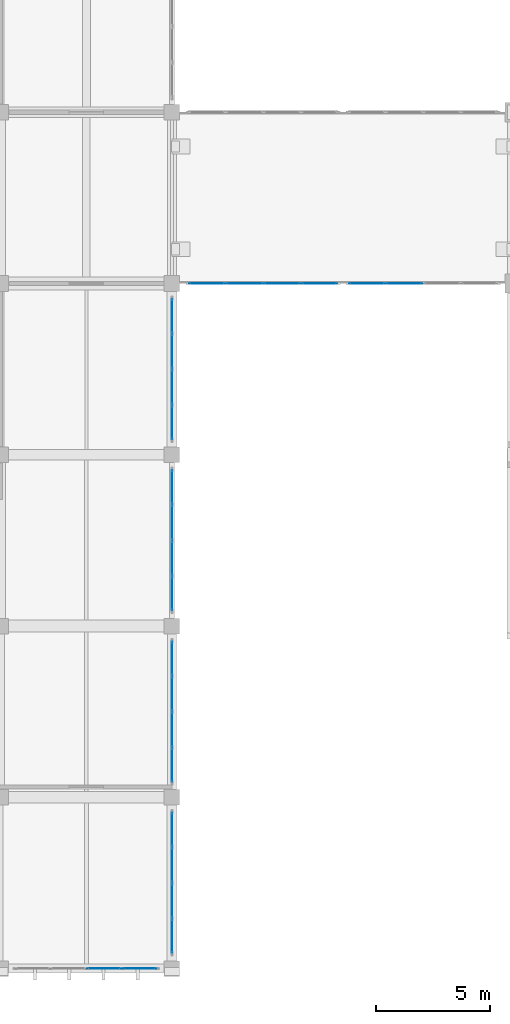
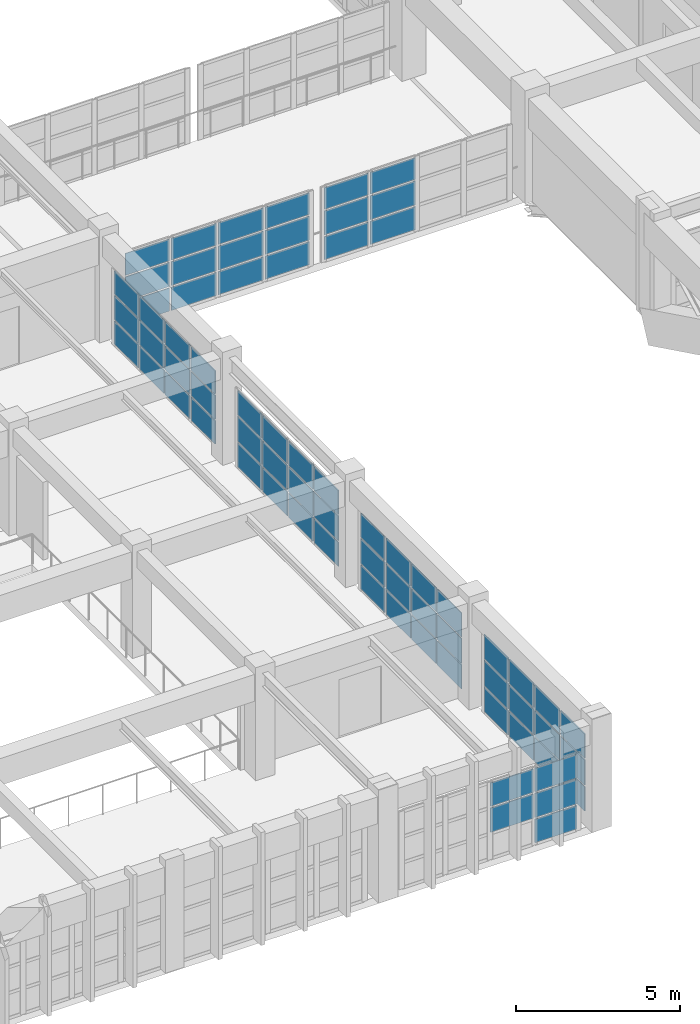
# One storey, part 82 of 132: 71 plates, 7 elements without a shape of their own.
"""IFC4 building model written with IfcOpenShell, lengths in metres."""

from ifc_helpers import new_model, si_unit, direction, frame, origin, origin_2d, place, context, subcontext, project, spatial, rectangle, extrude, material, layer, layer_set, type_object, element, aggregate, save


model = new_model("IFC4")

# Units and contexts
model_context = context("Model", 3, precision=1e-05, world=origin(), true_north=direction((0.0, 1.0)))
body_context = subcontext(model_context, "Body", "Model", "MODEL_VIEW")
ifc_project = project(units=[si_unit("LENGTHUNIT", "METRE"), si_unit("AREAUNIT", "SQUARE_METRE"), si_unit("VOLUMEUNIT", "CUBIC_METRE"), si_unit("PLANEANGLEUNIT", "RADIAN"), si_unit("MASSUNIT", "GRAM", prefix="KILO")], contexts=[model_context])

# Site, building, storey
site_placement = place(None, origin())
site = spatial("IfcSite", under=ifc_project, at=site_placement, CompositionType="ELEMENT")
building_placement = place(site_placement, origin())
building = spatial("IfcBuilding", under=site, at=building_placement, Name="Qasida Concert Hall", CompositionType="ELEMENT")
storey_placement = place(building_placement, frame((0.0, 0.0, 4.800048828125)))
storey = spatial("IfcBuildingStorey", under=building, at=storey_placement, Name="L01", CompositionType="ELEMENT", Elevation=4.800048828125)

# Curtain wall, plates
ifc_material_1 = material(Name="Architectural bronze-anodized aluminium and low-E glass", Category="aluminium")
curtain_wall_type_1 = type_object("IfcCurtainWallType", Name="CW-07", PredefinedType="NOTDEFINED", material=ifc_material_1)
curtain_wall_1_placement = place(storey_placement, origin())
curtain_wall_1 = element("IfcCurtainWall", 1, at=curtain_wall_1_placement, inside=storey, type_object=curtain_wall_type_1, Name="L01 curtain wall CW-07 0089", PredefinedType="NOTDEFINED")
ifc_material_2 = material(Name="Solar-control low-E double glazing", Category="glass")
ifc_layer_1 = layer(ifc_material_2, 0.031982421875, Name="Solar-control low-E double glazing")
ifc_layer_set_1 = layer_set([ifc_layer_1], Name="Solar-control low-E double glazing")
plate_type_1 = type_object("IfcPlateType", Name="PLT-CWP-2", PredefinedType="CURTAIN_PANEL", material=ifc_layer_set_1)
plate_1_placement = place(storey_placement, frame((34.532470703125, 0.0, 0.993408203125), z_axis=(0.0, 0.0, 1.0), x_axis=(1.0, 0.0, 0.0)))
plate_1 = element("IfcPlate", 2, at=plate_1_placement, type_object=plate_type_1, Name="CW-07 panel 3.2", PredefinedType="CURTAIN_PANEL", context=body_context, shape_type="SweptSolid", body=[
    extrude(rectangle(XDim=1.5, YDim=0.031982421875, at=origin_2d()), origin(), (0.0, 0.0, 1.0), 0.9033203125),
])
plate_2_placement = place(storey_placement, frame((34.532470703125, 0.0, 1.95654296875), z_axis=(0.0, 0.0, 1.0), x_axis=(1.0, 0.0, 0.0)))
plate_2 = element("IfcPlate", 3, at=plate_2_placement, type_object=plate_type_1, Name="CW-07 panel 3.3", PredefinedType="CURTAIN_PANEL", context=body_context, shape_type="SweptSolid", body=[
    extrude(rectangle(XDim=1.5, YDim=0.031982421875, at=origin_2d()), origin(), (0.0, 0.0, 1.0), 0.873291015625),
])
plate_3_placement = place(storey_placement, frame((36.081298828125, 0.0, 0.06005859375), z_axis=(0.0, 0.0, 1.0), x_axis=(1.0, 0.0, 0.0)))
plate_3 = element("IfcPlate", 4, at=plate_3_placement, type_object=plate_type_1, Name="CW-07 panel 4.1", PredefinedType="CURTAIN_PANEL", context=body_context, shape_type="SweptSolid", body=[
    extrude(rectangle(XDim=1.467529296875, YDim=0.031982421875, at=origin_2d()), origin(), (0.0, 0.0, 1.0), 0.873291015625),
])
plate_4_placement = place(storey_placement, frame((36.081298828125, 0.0, 0.993408203125), z_axis=(0.0, 0.0, 1.0), x_axis=(1.0, 0.0, 0.0)))
plate_4 = element("IfcPlate", 5, at=plate_4_placement, type_object=plate_type_1, Name="CW-07 panel 4.2", PredefinedType="CURTAIN_PANEL", context=body_context, shape_type="SweptSolid", body=[
    extrude(rectangle(XDim=1.467529296875, YDim=0.031982421875, at=origin_2d()), origin(), (0.0, 0.0, 1.0), 0.9033203125),
])
plate_5_placement = place(storey_placement, frame((36.081298828125, 0.0, 1.95654296875), z_axis=(0.0, 0.0, 1.0), x_axis=(1.0, 0.0, 0.0)))
plate_5 = element("IfcPlate", 6, at=plate_5_placement, type_object=plate_type_1, Name="CW-07 panel 4.3", PredefinedType="CURTAIN_PANEL", context=body_context, shape_type="SweptSolid", body=[
    extrude(rectangle(XDim=1.467529296875, YDim=0.031982421875, at=origin_2d()), origin(), (0.0, 0.0, 1.0), 0.873291015625),
])
aggregate(curtain_wall_1, [plate_1, plate_2, plate_3, plate_4, plate_5])

curtain_wall_2_placement = place(storey_placement, origin())
curtain_wall_2 = element("IfcCurtainWall", 7, at=curtain_wall_2_placement, inside=storey, type_object=curtain_wall_type_1, Name="L01 curtain wall CW-07 0091", PredefinedType="NOTDEFINED")
plate_6_placement = place(storey_placement, frame((37.5, 1.418701171875, 0.059814453125), z_axis=(0.0, 0.0, 1.0), x_axis=(0.0, 1.0, 0.0)))
plate_6 = element("IfcPlate", 8, at=plate_6_placement, type_object=plate_type_1, Name="CW-07 panel 1.1", PredefinedType="CURTAIN_PANEL", context=body_context, shape_type="SweptSolid", body=[
    extrude(rectangle(XDim=1.467529296875, YDim=0.031982421875, at=origin_2d()), origin(), (0.0, 0.0, 1.0), 0.90673828125),
])
plate_7_placement = place(storey_placement, frame((37.5, 1.418701171875, 1.026611328125), z_axis=(0.0, 0.0, 1.0), x_axis=(0.0, 1.0, 0.0)))
plate_7 = element("IfcPlate", 9, at=plate_7_placement, type_object=plate_type_1, Name="CW-07 panel 1.2", PredefinedType="CURTAIN_PANEL", context=body_context, shape_type="SweptSolid", body=[
    extrude(rectangle(XDim=1.467529296875, YDim=0.031982421875, at=origin_2d()), origin(), (0.0, 0.0, 1.0), 0.9365234375),
])
plate_8_placement = place(storey_placement, frame((37.5, 1.418701171875, 2.023193359375), z_axis=(0.0, 0.0, 1.0), x_axis=(0.0, 1.0, 0.0)))
plate_8 = element("IfcPlate", 10, at=plate_8_placement, type_object=plate_type_1, Name="CW-07 panel 1.3", PredefinedType="CURTAIN_PANEL", context=body_context, shape_type="SweptSolid", body=[
    extrude(rectangle(XDim=1.467529296875, YDim=0.031982421875, at=origin_2d()), origin(), (0.0, 0.0, 1.0), 0.90673828125),
])
plate_9_placement = place(storey_placement, frame((37.5, 2.967529296875, 0.059814453125), z_axis=(0.0, 0.0, 1.0), x_axis=(0.0, 1.0, 0.0)))
plate_9 = element("IfcPlate", 11, at=plate_9_placement, type_object=plate_type_1, Name="CW-07 panel 2.1", PredefinedType="CURTAIN_PANEL", context=body_context, shape_type="SweptSolid", body=[
    extrude(rectangle(XDim=1.5, YDim=0.031982421875, at=origin_2d()), origin(), (0.0, 0.0, 1.0), 0.90673828125),
])
plate_10_placement = place(storey_placement, frame((37.5, 2.967529296875, 1.026611328125), z_axis=(0.0, 0.0, 1.0), x_axis=(0.0, 1.0, 0.0)))
plate_10 = element("IfcPlate", 12, at=plate_10_placement, type_object=plate_type_1, Name="CW-07 panel 2.2", PredefinedType="CURTAIN_PANEL", context=body_context, shape_type="SweptSolid", body=[
    extrude(rectangle(XDim=1.5, YDim=0.031982421875, at=origin_2d()), origin(), (0.0, 0.0, 1.0), 0.9365234375),
])
plate_11_placement = place(storey_placement, frame((37.5, 2.967529296875, 2.023193359375), z_axis=(0.0, 0.0, 1.0), x_axis=(0.0, 1.0, 0.0)))
plate_11 = element("IfcPlate", 13, at=plate_11_placement, type_object=plate_type_1, Name="CW-07 panel 2.3", PredefinedType="CURTAIN_PANEL", context=body_context, shape_type="SweptSolid", body=[
    extrude(rectangle(XDim=1.5, YDim=0.031982421875, at=origin_2d()), origin(), (0.0, 0.0, 1.0), 0.90673828125),
])
plate_12_placement = place(storey_placement, frame((37.5, 4.532470703125, 0.059814453125), z_axis=(0.0, 0.0, 1.0), x_axis=(0.0, 1.0, 0.0)))
plate_12 = element("IfcPlate", 14, at=plate_12_placement, type_object=plate_type_1, Name="CW-07 panel 3.1", PredefinedType="CURTAIN_PANEL", context=body_context, shape_type="SweptSolid", body=[
    extrude(rectangle(XDim=1.5, YDim=0.031982421875, at=origin_2d()), origin(), (0.0, 0.0, 1.0), 0.90673828125),
])
plate_13_placement = place(storey_placement, frame((37.5, 4.532470703125, 1.026611328125), z_axis=(0.0, 0.0, 1.0), x_axis=(0.0, 1.0, 0.0)))
plate_13 = element("IfcPlate", 15, at=plate_13_placement, type_object=plate_type_1, Name="CW-07 panel 3.2", PredefinedType="CURTAIN_PANEL", context=body_context, shape_type="SweptSolid", body=[
    extrude(rectangle(XDim=1.5, YDim=0.031982421875, at=origin_2d()), origin(), (0.0, 0.0, 1.0), 0.9365234375),
])
plate_14_placement = place(storey_placement, frame((37.5, 4.532470703125, 2.023193359375), z_axis=(0.0, 0.0, 1.0), x_axis=(0.0, 1.0, 0.0)))
plate_14 = element("IfcPlate", 16, at=plate_14_placement, type_object=plate_type_1, Name="CW-07 panel 3.3", PredefinedType="CURTAIN_PANEL", context=body_context, shape_type="SweptSolid", body=[
    extrude(rectangle(XDim=1.5, YDim=0.031982421875, at=origin_2d()), origin(), (0.0, 0.0, 1.0), 0.90673828125),
])
plate_15_placement = place(storey_placement, frame((37.5, 6.081298828125, 0.059814453125), z_axis=(0.0, 0.0, 1.0), x_axis=(0.0, 1.0, 0.0)))
plate_15 = element("IfcPlate", 17, at=plate_15_placement, type_object=plate_type_1, Name="CW-07 panel 4.1", PredefinedType="CURTAIN_PANEL", context=body_context, shape_type="SweptSolid", body=[
    extrude(rectangle(XDim=1.467529296875, YDim=0.031982421875, at=origin_2d()), origin(), (0.0, 0.0, 1.0), 0.90673828125),
])
plate_16_placement = place(storey_placement, frame((37.5, 6.081298828125, 1.026611328125), z_axis=(0.0, 0.0, 1.0), x_axis=(0.0, 1.0, 0.0)))
plate_16 = element("IfcPlate", 18, at=plate_16_placement, type_object=plate_type_1, Name="CW-07 panel 4.2", PredefinedType="CURTAIN_PANEL", context=body_context, shape_type="SweptSolid", body=[
    extrude(rectangle(XDim=1.467529296875, YDim=0.031982421875, at=origin_2d()), origin(), (0.0, 0.0, 1.0), 0.9365234375),
])
plate_17_placement = place(storey_placement, frame((37.5, 6.081298828125, 2.023193359375), z_axis=(0.0, 0.0, 1.0), x_axis=(0.0, 1.0, 0.0)))
plate_17 = element("IfcPlate", 19, at=plate_17_placement, type_object=plate_type_1, Name="CW-07 panel 4.3", PredefinedType="CURTAIN_PANEL", context=body_context, shape_type="SweptSolid", body=[
    extrude(rectangle(XDim=1.467529296875, YDim=0.031982421875, at=origin_2d()), origin(), (0.0, 0.0, 1.0), 0.90673828125),
])
aggregate(curtain_wall_2, [plate_6, plate_7, plate_8, plate_9, plate_10, plate_11, plate_12, plate_13, plate_14, plate_15, plate_16, plate_17])

curtain_wall_3_placement = place(storey_placement, origin())
curtain_wall_3 = element("IfcCurtainWall", 20, at=curtain_wall_3_placement, inside=storey, type_object=curtain_wall_type_1, Name="L01 curtain wall CW-07 0093", PredefinedType="NOTDEFINED")
plate_18_placement = place(storey_placement, frame((37.5, 8.918701171875, 0.06005859375), z_axis=(0.0, 0.0, 1.0), x_axis=(0.0, 1.0, 0.0)))
plate_18 = element("IfcPlate", 21, at=plate_18_placement, type_object=plate_type_1, Name="CW-07 panel 1.1", PredefinedType="CURTAIN_PANEL", context=body_context, shape_type="SweptSolid", body=[
    extrude(rectangle(XDim=1.467529296875, YDim=0.031982421875, at=origin_2d()), origin(), (0.0, 0.0, 1.0), 0.889892578125),
])
plate_19_placement = place(storey_placement, frame((37.5, 8.918701171875, 1.010009765625), z_axis=(0.0, 0.0, 1.0), x_axis=(0.0, 1.0, 0.0)))
plate_19 = element("IfcPlate", 22, at=plate_19_placement, type_object=plate_type_1, Name="CW-07 panel 1.2", PredefinedType="CURTAIN_PANEL", context=body_context, shape_type="SweptSolid", body=[
    extrude(rectangle(XDim=1.467529296875, YDim=0.031982421875, at=origin_2d()), origin(), (0.0, 0.0, 1.0), 0.919921875),
])
plate_20_placement = place(storey_placement, frame((37.5, 8.918701171875, 1.990234375), z_axis=(0.0, 0.0, 1.0), x_axis=(0.0, 1.0, 0.0)))
plate_20 = element("IfcPlate", 23, at=plate_20_placement, type_object=plate_type_1, Name="CW-07 panel 1.3", PredefinedType="CURTAIN_PANEL", context=body_context, shape_type="SweptSolid", body=[
    extrude(rectangle(XDim=1.467529296875, YDim=0.031982421875, at=origin_2d()), origin(), (0.0, 0.0, 1.0), 0.889892578125),
])
plate_21_placement = place(storey_placement, frame((37.5, 10.467529296875, 0.06005859375), z_axis=(0.0, 0.0, 1.0), x_axis=(0.0, 1.0, 0.0)))
plate_21 = element("IfcPlate", 24, at=plate_21_placement, type_object=plate_type_1, Name="CW-07 panel 2.1", PredefinedType="CURTAIN_PANEL", context=body_context, shape_type="SweptSolid", body=[
    extrude(rectangle(XDim=1.5, YDim=0.031982421875, at=origin_2d()), origin(), (0.0, 0.0, 1.0), 0.889892578125),
])
plate_22_placement = place(storey_placement, frame((37.5, 10.467529296875, 1.010009765625), z_axis=(0.0, 0.0, 1.0), x_axis=(0.0, 1.0, 0.0)))
plate_22 = element("IfcPlate", 25, at=plate_22_placement, type_object=plate_type_1, Name="CW-07 panel 2.2", PredefinedType="CURTAIN_PANEL", context=body_context, shape_type="SweptSolid", body=[
    extrude(rectangle(XDim=1.5, YDim=0.031982421875, at=origin_2d()), origin(), (0.0, 0.0, 1.0), 0.919921875),
])
plate_23_placement = place(storey_placement, frame((37.5, 10.467529296875, 1.990234375), z_axis=(0.0, 0.0, 1.0), x_axis=(0.0, 1.0, 0.0)))
plate_23 = element("IfcPlate", 26, at=plate_23_placement, type_object=plate_type_1, Name="CW-07 panel 2.3", PredefinedType="CURTAIN_PANEL", context=body_context, shape_type="SweptSolid", body=[
    extrude(rectangle(XDim=1.5, YDim=0.031982421875, at=origin_2d()), origin(), (0.0, 0.0, 1.0), 0.889892578125),
])
plate_24_placement = place(storey_placement, frame((37.5, 12.032470703125, 0.06005859375), z_axis=(0.0, 0.0, 1.0), x_axis=(0.0, 1.0, 0.0)))
plate_24 = element("IfcPlate", 27, at=plate_24_placement, type_object=plate_type_1, Name="CW-07 panel 3.1", PredefinedType="CURTAIN_PANEL", context=body_context, shape_type="SweptSolid", body=[
    extrude(rectangle(XDim=1.5, YDim=0.031982421875, at=origin_2d()), origin(), (0.0, 0.0, 1.0), 0.889892578125),
])
plate_25_placement = place(storey_placement, frame((37.5, 12.032470703125, 1.010009765625), z_axis=(0.0, 0.0, 1.0), x_axis=(0.0, 1.0, 0.0)))
plate_25 = element("IfcPlate", 28, at=plate_25_placement, type_object=plate_type_1, Name="CW-07 panel 3.2", PredefinedType="CURTAIN_PANEL", context=body_context, shape_type="SweptSolid", body=[
    extrude(rectangle(XDim=1.5, YDim=0.031982421875, at=origin_2d()), origin(), (0.0, 0.0, 1.0), 0.919921875),
])
plate_26_placement = place(storey_placement, frame((37.5, 12.032470703125, 1.990234375), z_axis=(0.0, 0.0, 1.0), x_axis=(0.0, 1.0, 0.0)))
plate_26 = element("IfcPlate", 29, at=plate_26_placement, type_object=plate_type_1, Name="CW-07 panel 3.3", PredefinedType="CURTAIN_PANEL", context=body_context, shape_type="SweptSolid", body=[
    extrude(rectangle(XDim=1.5, YDim=0.031982421875, at=origin_2d()), origin(), (0.0, 0.0, 1.0), 0.889892578125),
])
plate_27_placement = place(storey_placement, frame((37.5, 13.581298828125, 0.06005859375), z_axis=(0.0, 0.0, 1.0), x_axis=(0.0, 1.0, 0.0)))
plate_27 = element("IfcPlate", 30, at=plate_27_placement, type_object=plate_type_1, Name="CW-07 panel 4.1", PredefinedType="CURTAIN_PANEL", context=body_context, shape_type="SweptSolid", body=[
    extrude(rectangle(XDim=1.467529296875, YDim=0.031982421875, at=origin_2d()), origin(), (0.0, 0.0, 1.0), 0.889892578125),
])
plate_28_placement = place(storey_placement, frame((37.5, 13.581298828125, 1.010009765625), z_axis=(0.0, 0.0, 1.0), x_axis=(0.0, 1.0, 0.0)))
plate_28 = element("IfcPlate", 31, at=plate_28_placement, type_object=plate_type_1, Name="CW-07 panel 4.2", PredefinedType="CURTAIN_PANEL", context=body_context, shape_type="SweptSolid", body=[
    extrude(rectangle(XDim=1.467529296875, YDim=0.031982421875, at=origin_2d()), origin(), (0.0, 0.0, 1.0), 0.919921875),
])
plate_29_placement = place(storey_placement, frame((37.5, 13.581298828125, 1.990234375), z_axis=(0.0, 0.0, 1.0), x_axis=(0.0, 1.0, 0.0)))
plate_29 = element("IfcPlate", 32, at=plate_29_placement, type_object=plate_type_1, Name="CW-07 panel 4.3", PredefinedType="CURTAIN_PANEL", context=body_context, shape_type="SweptSolid", body=[
    extrude(rectangle(XDim=1.467529296875, YDim=0.031982421875, at=origin_2d()), origin(), (0.0, 0.0, 1.0), 0.889892578125),
])
aggregate(curtain_wall_3, [plate_18, plate_19, plate_20, plate_21, plate_22, plate_23, plate_24, plate_25, plate_26, plate_27, plate_28, plate_29])

curtain_wall_4_placement = place(storey_placement, origin())
curtain_wall_4 = element("IfcCurtainWall", 33, at=curtain_wall_4_placement, inside=storey, type_object=curtain_wall_type_1, Name="L01 curtain wall CW-07 0094", PredefinedType="NOTDEFINED")
plate_30_placement = place(storey_placement, frame((37.5, 16.418701171875, 0.06005859375), z_axis=(0.0, 0.0, 1.0), x_axis=(0.0, 1.0, 0.0)))
plate_30 = element("IfcPlate", 34, at=plate_30_placement, type_object=plate_type_1, Name="CW-07 panel 1.1", PredefinedType="CURTAIN_PANEL", context=body_context, shape_type="SweptSolid", body=[
    extrude(rectangle(XDim=1.467529296875, YDim=0.031982421875, at=origin_2d()), origin(), (0.0, 0.0, 1.0), 0.889892578125),
])
plate_31_placement = place(storey_placement, frame((37.5, 16.418701171875, 1.010009765625), z_axis=(0.0, 0.0, 1.0), x_axis=(0.0, 1.0, 0.0)))
plate_31 = element("IfcPlate", 35, at=plate_31_placement, type_object=plate_type_1, Name="CW-07 panel 1.2", PredefinedType="CURTAIN_PANEL", context=body_context, shape_type="SweptSolid", body=[
    extrude(rectangle(XDim=1.467529296875, YDim=0.031982421875, at=origin_2d()), origin(), (0.0, 0.0, 1.0), 0.919921875),
])
plate_32_placement = place(storey_placement, frame((37.5, 16.418701171875, 1.990234375), z_axis=(0.0, 0.0, 1.0), x_axis=(0.0, 1.0, 0.0)))
plate_32 = element("IfcPlate", 36, at=plate_32_placement, type_object=plate_type_1, Name="CW-07 panel 1.3", PredefinedType="CURTAIN_PANEL", context=body_context, shape_type="SweptSolid", body=[
    extrude(rectangle(XDim=1.467529296875, YDim=0.031982421875, at=origin_2d()), origin(), (0.0, 0.0, 1.0), 0.889892578125),
])
plate_33_placement = place(storey_placement, frame((37.5, 17.967529296875, 0.06005859375), z_axis=(0.0, 0.0, 1.0), x_axis=(0.0, 1.0, 0.0)))
plate_33 = element("IfcPlate", 37, at=plate_33_placement, type_object=plate_type_1, Name="CW-07 panel 2.1", PredefinedType="CURTAIN_PANEL", context=body_context, shape_type="SweptSolid", body=[
    extrude(rectangle(XDim=1.5, YDim=0.031982421875, at=origin_2d()), origin(), (0.0, 0.0, 1.0), 0.889892578125),
])
plate_34_placement = place(storey_placement, frame((37.5, 17.967529296875, 1.010009765625), z_axis=(0.0, 0.0, 1.0), x_axis=(0.0, 1.0, 0.0)))
plate_34 = element("IfcPlate", 38, at=plate_34_placement, type_object=plate_type_1, Name="CW-07 panel 2.2", PredefinedType="CURTAIN_PANEL", context=body_context, shape_type="SweptSolid", body=[
    extrude(rectangle(XDim=1.5, YDim=0.031982421875, at=origin_2d()), origin(), (0.0, 0.0, 1.0), 0.919921875),
])
plate_35_placement = place(storey_placement, frame((37.5, 17.967529296875, 1.990234375), z_axis=(0.0, 0.0, 1.0), x_axis=(0.0, 1.0, 0.0)))
plate_35 = element("IfcPlate", 39, at=plate_35_placement, type_object=plate_type_1, Name="CW-07 panel 2.3", PredefinedType="CURTAIN_PANEL", context=body_context, shape_type="SweptSolid", body=[
    extrude(rectangle(XDim=1.5, YDim=0.031982421875, at=origin_2d()), origin(), (0.0, 0.0, 1.0), 0.889892578125),
])
plate_36_placement = place(storey_placement, frame((37.5, 19.532470703125, 0.06005859375), z_axis=(0.0, 0.0, 1.0), x_axis=(0.0, 1.0, 0.0)))
plate_36 = element("IfcPlate", 40, at=plate_36_placement, type_object=plate_type_1, Name="CW-07 panel 3.1", PredefinedType="CURTAIN_PANEL", context=body_context, shape_type="SweptSolid", body=[
    extrude(rectangle(XDim=1.5, YDim=0.031982421875, at=origin_2d()), origin(), (0.0, 0.0, 1.0), 0.889892578125),
])
plate_37_placement = place(storey_placement, frame((37.5, 19.532470703125, 1.010009765625), z_axis=(0.0, 0.0, 1.0), x_axis=(0.0, 1.0, 0.0)))
plate_37 = element("IfcPlate", 41, at=plate_37_placement, type_object=plate_type_1, Name="CW-07 panel 3.2", PredefinedType="CURTAIN_PANEL", context=body_context, shape_type="SweptSolid", body=[
    extrude(rectangle(XDim=1.5, YDim=0.031982421875, at=origin_2d()), origin(), (0.0, 0.0, 1.0), 0.919921875),
])
plate_38_placement = place(storey_placement, frame((37.5, 19.532470703125, 1.990234375), z_axis=(0.0, 0.0, 1.0), x_axis=(0.0, 1.0, 0.0)))
plate_38 = element("IfcPlate", 42, at=plate_38_placement, type_object=plate_type_1, Name="CW-07 panel 3.3", PredefinedType="CURTAIN_PANEL", context=body_context, shape_type="SweptSolid", body=[
    extrude(rectangle(XDim=1.5, YDim=0.031982421875, at=origin_2d()), origin(), (0.0, 0.0, 1.0), 0.889892578125),
])
plate_39_placement = place(storey_placement, frame((37.5, 21.081298828125, 0.06005859375), z_axis=(0.0, 0.0, 1.0), x_axis=(0.0, 1.0, 0.0)))
plate_39 = element("IfcPlate", 43, at=plate_39_placement, type_object=plate_type_1, Name="CW-07 panel 4.1", PredefinedType="CURTAIN_PANEL", context=body_context, shape_type="SweptSolid", body=[
    extrude(rectangle(XDim=1.467529296875, YDim=0.031982421875, at=origin_2d()), origin(), (0.0, 0.0, 1.0), 0.889892578125),
])
plate_40_placement = place(storey_placement, frame((37.5, 21.081298828125, 1.010009765625), z_axis=(0.0, 0.0, 1.0), x_axis=(0.0, 1.0, 0.0)))
plate_40 = element("IfcPlate", 44, at=plate_40_placement, type_object=plate_type_1, Name="CW-07 panel 4.2", PredefinedType="CURTAIN_PANEL", context=body_context, shape_type="SweptSolid", body=[
    extrude(rectangle(XDim=1.467529296875, YDim=0.031982421875, at=origin_2d()), origin(), (0.0, 0.0, 1.0), 0.919921875),
])
plate_41_placement = place(storey_placement, frame((37.5, 21.081298828125, 1.990234375), z_axis=(0.0, 0.0, 1.0), x_axis=(0.0, 1.0, 0.0)))
plate_41 = element("IfcPlate", 45, at=plate_41_placement, type_object=plate_type_1, Name="CW-07 panel 4.3", PredefinedType="CURTAIN_PANEL", context=body_context, shape_type="SweptSolid", body=[
    extrude(rectangle(XDim=1.467529296875, YDim=0.031982421875, at=origin_2d()), origin(), (0.0, 0.0, 1.0), 0.889892578125),
])
aggregate(curtain_wall_4, [plate_30, plate_31, plate_32, plate_33, plate_34, plate_35, plate_36, plate_37, plate_38, plate_39, plate_40, plate_41])

curtain_wall_5_placement = place(storey_placement, origin())
curtain_wall_5 = element("IfcCurtainWall", 46, at=curtain_wall_5_placement, inside=storey, type_object=curtain_wall_type_1, Name="L01 curtain wall CW-07 0095", PredefinedType="NOTDEFINED")
plate_42_placement = place(storey_placement, frame((37.5, 23.918701171875, 0.06005859375), z_axis=(0.0, 0.0, 1.0), x_axis=(0.0, 1.0, 0.0)))
plate_42 = element("IfcPlate", 47, at=plate_42_placement, type_object=plate_type_1, Name="CW-07 panel 1.1", PredefinedType="CURTAIN_PANEL", context=body_context, shape_type="SweptSolid", body=[
    extrude(rectangle(XDim=1.467529296875, YDim=0.031982421875, at=origin_2d()), origin(), (0.0, 0.0, 1.0), 0.856689453125),
])
plate_43_placement = place(storey_placement, frame((37.5, 23.918701171875, 0.9765625), z_axis=(0.0, 0.0, 1.0), x_axis=(0.0, 1.0, 0.0)))
plate_43 = element("IfcPlate", 48, at=plate_43_placement, type_object=plate_type_1, Name="CW-07 panel 1.2", PredefinedType="CURTAIN_PANEL", context=body_context, shape_type="SweptSolid", body=[
    extrude(rectangle(XDim=1.467529296875, YDim=0.031982421875, at=origin_2d()), origin(), (0.0, 0.0, 1.0), 0.88671875),
])
plate_44_placement = place(storey_placement, frame((37.5, 23.918701171875, 1.92333984375), z_axis=(0.0, 0.0, 1.0), x_axis=(0.0, 1.0, 0.0)))
plate_44 = element("IfcPlate", 49, at=plate_44_placement, type_object=plate_type_1, Name="CW-07 panel 1.3", PredefinedType="CURTAIN_PANEL", context=body_context, shape_type="SweptSolid", body=[
    extrude(rectangle(XDim=1.467529296875, YDim=0.031982421875, at=origin_2d()), origin(), (0.0, 0.0, 1.0), 0.856689453125),
])
plate_45_placement = place(storey_placement, frame((37.5, 25.467529296875, 0.06005859375), z_axis=(0.0, 0.0, 1.0), x_axis=(0.0, 1.0, 0.0)))
plate_45 = element("IfcPlate", 50, at=plate_45_placement, type_object=plate_type_1, Name="CW-07 panel 2.1", PredefinedType="CURTAIN_PANEL", context=body_context, shape_type="SweptSolid", body=[
    extrude(rectangle(XDim=1.5, YDim=0.031982421875, at=origin_2d()), origin(), (0.0, 0.0, 1.0), 0.856689453125),
])
plate_46_placement = place(storey_placement, frame((37.5, 25.467529296875, 0.9765625), z_axis=(0.0, 0.0, 1.0), x_axis=(0.0, 1.0, 0.0)))
plate_46 = element("IfcPlate", 51, at=plate_46_placement, type_object=plate_type_1, Name="CW-07 panel 2.2", PredefinedType="CURTAIN_PANEL", context=body_context, shape_type="SweptSolid", body=[
    extrude(rectangle(XDim=1.5, YDim=0.031982421875, at=origin_2d()), origin(), (0.0, 0.0, 1.0), 0.88671875),
])
plate_47_placement = place(storey_placement, frame((37.5, 25.467529296875, 1.92333984375), z_axis=(0.0, 0.0, 1.0), x_axis=(0.0, 1.0, 0.0)))
plate_47 = element("IfcPlate", 52, at=plate_47_placement, type_object=plate_type_1, Name="CW-07 panel 2.3", PredefinedType="CURTAIN_PANEL", context=body_context, shape_type="SweptSolid", body=[
    extrude(rectangle(XDim=1.5, YDim=0.031982421875, at=origin_2d()), origin(), (0.0, 0.0, 1.0), 0.856689453125),
])
plate_48_placement = place(storey_placement, frame((37.5, 27.032470703125, 0.06005859375), z_axis=(0.0, 0.0, 1.0), x_axis=(0.0, 1.0, 0.0)))
plate_48 = element("IfcPlate", 53, at=plate_48_placement, type_object=plate_type_1, Name="CW-07 panel 3.1", PredefinedType="CURTAIN_PANEL", context=body_context, shape_type="SweptSolid", body=[
    extrude(rectangle(XDim=1.5, YDim=0.031982421875, at=origin_2d()), origin(), (0.0, 0.0, 1.0), 0.856689453125),
])
plate_49_placement = place(storey_placement, frame((37.5, 27.032470703125, 0.9765625), z_axis=(0.0, 0.0, 1.0), x_axis=(0.0, 1.0, 0.0)))
plate_49 = element("IfcPlate", 54, at=plate_49_placement, type_object=plate_type_1, Name="CW-07 panel 3.2", PredefinedType="CURTAIN_PANEL", context=body_context, shape_type="SweptSolid", body=[
    extrude(rectangle(XDim=1.5, YDim=0.031982421875, at=origin_2d()), origin(), (0.0, 0.0, 1.0), 0.88671875),
])
plate_50_placement = place(storey_placement, frame((37.5, 27.032470703125, 1.92333984375), z_axis=(0.0, 0.0, 1.0), x_axis=(0.0, 1.0, 0.0)))
plate_50 = element("IfcPlate", 55, at=plate_50_placement, type_object=plate_type_1, Name="CW-07 panel 3.3", PredefinedType="CURTAIN_PANEL", context=body_context, shape_type="SweptSolid", body=[
    extrude(rectangle(XDim=1.5, YDim=0.031982421875, at=origin_2d()), origin(), (0.0, 0.0, 1.0), 0.856689453125),
])
plate_51_placement = place(storey_placement, frame((37.5, 28.581298828125, 0.06005859375), z_axis=(0.0, 0.0, 1.0), x_axis=(0.0, 1.0, 0.0)))
plate_51 = element("IfcPlate", 56, at=plate_51_placement, type_object=plate_type_1, Name="CW-07 panel 4.1", PredefinedType="CURTAIN_PANEL", context=body_context, shape_type="SweptSolid", body=[
    extrude(rectangle(XDim=1.467529296875, YDim=0.031982421875, at=origin_2d()), origin(), (0.0, 0.0, 1.0), 0.856689453125),
])
plate_52_placement = place(storey_placement, frame((37.5, 28.581298828125, 0.9765625), z_axis=(0.0, 0.0, 1.0), x_axis=(0.0, 1.0, 0.0)))
plate_52 = element("IfcPlate", 57, at=plate_52_placement, type_object=plate_type_1, Name="CW-07 panel 4.2", PredefinedType="CURTAIN_PANEL", context=body_context, shape_type="SweptSolid", body=[
    extrude(rectangle(XDim=1.467529296875, YDim=0.031982421875, at=origin_2d()), origin(), (0.0, 0.0, 1.0), 0.88671875),
])
plate_53_placement = place(storey_placement, frame((37.5, 28.581298828125, 1.92333984375), z_axis=(0.0, 0.0, 1.0), x_axis=(0.0, 1.0, 0.0)))
plate_53 = element("IfcPlate", 58, at=plate_53_placement, type_object=plate_type_1, Name="CW-07 panel 4.3", PredefinedType="CURTAIN_PANEL", context=body_context, shape_type="SweptSolid", body=[
    extrude(rectangle(XDim=1.467529296875, YDim=0.031982421875, at=origin_2d()), origin(), (0.0, 0.0, 1.0), 0.856689453125),
])
aggregate(curtain_wall_5, [plate_42, plate_43, plate_44, plate_45, plate_46, plate_47, plate_48, plate_49, plate_50, plate_51, plate_52, plate_53])

curtain_wall_type_2 = type_object("IfcCurtainWallType", Name="CW-08", PredefinedType="NOTDEFINED", material=ifc_material_1)
curtain_wall_6_placement = place(storey_placement, origin())
curtain_wall_6 = element("IfcCurtainWall", 59, at=curtain_wall_6_placement, inside=storey, type_object=curtain_wall_type_2, Name="L01 link bridge glazing 0198", PredefinedType="NOTDEFINED")
ifc_layer_2 = layer(ifc_material_2, 0.02392578125, Name="Solar-control low-E double glazing")
ifc_layer_set_2 = layer_set([ifc_layer_2], Name="Solar-control low-E double glazing")
plate_type_2 = type_object("IfcPlateType", Name="PLT-CWP-5", PredefinedType="CURTAIN_PANEL", material=ifc_layer_set_2)
plate_54_placement = place(storey_placement, frame((39.041259765625, 30.0, 0.06005859375), z_axis=(0.0, 0.0, 1.0), x_axis=(1.0, 0.0, 0.0)))
plate_54 = element("IfcPlate", 60, at=plate_54_placement, type_object=plate_type_2, Name="CW-08 panel 1.1", PredefinedType="CURTAIN_PANEL", context=body_context, shape_type="SweptSolid", body=[
    extrude(rectangle(XDim=1.552490234375, YDim=0.02392578125, at=origin_2d()), origin(), (0.0, 0.0, 1.0), 0.860107421875),
])
plate_55_placement = place(storey_placement, frame((39.041259765625, 30.0, 0.97998046875), z_axis=(0.0, 0.0, 1.0), x_axis=(1.0, 0.0, 0.0)))
plate_55 = element("IfcPlate", 61, at=plate_55_placement, type_object=plate_type_2, Name="CW-08 panel 1.2", PredefinedType="CURTAIN_PANEL", context=body_context, shape_type="SweptSolid", body=[
    extrude(rectangle(XDim=1.552490234375, YDim=0.02392578125, at=origin_2d()), origin(), (0.0, 0.0, 1.0), 0.889892578125),
])
plate_56_placement = place(storey_placement, frame((39.041259765625, 30.0, 1.929931640625), z_axis=(0.0, 0.0, 1.0), x_axis=(1.0, 0.0, 0.0)))
plate_56 = element("IfcPlate", 62, at=plate_56_placement, type_object=plate_type_2, Name="CW-08 panel 1.3", PredefinedType="CURTAIN_PANEL", context=body_context, shape_type="SweptSolid", body=[
    extrude(rectangle(XDim=1.552490234375, YDim=0.02392578125, at=origin_2d()), origin(), (0.0, 0.0, 1.0), 0.81005859375),
])
plate_57_placement = place(storey_placement, frame((40.675048828125, 30.0, 0.06005859375), z_axis=(0.0, 0.0, 1.0), x_axis=(1.0, 0.0, 0.0)))
plate_57 = element("IfcPlate", 63, at=plate_57_placement, type_object=plate_type_2, Name="CW-08 panel 2.1", PredefinedType="CURTAIN_PANEL", context=body_context, shape_type="SweptSolid", body=[
    extrude(rectangle(XDim=1.5849609375, YDim=0.02392578125, at=origin_2d()), origin(), (0.0, 0.0, 1.0), 0.860107421875),
])
plate_58_placement = place(storey_placement, frame((40.675048828125, 30.0, 0.97998046875), z_axis=(0.0, 0.0, 1.0), x_axis=(1.0, 0.0, 0.0)))
plate_58 = element("IfcPlate", 64, at=plate_58_placement, type_object=plate_type_2, Name="CW-08 panel 2.2", PredefinedType="CURTAIN_PANEL", context=body_context, shape_type="SweptSolid", body=[
    extrude(rectangle(XDim=1.5849609375, YDim=0.02392578125, at=origin_2d()), origin(), (0.0, 0.0, 1.0), 0.889892578125),
])
plate_59_placement = place(storey_placement, frame((40.675048828125, 30.0, 1.929931640625), z_axis=(0.0, 0.0, 1.0), x_axis=(1.0, 0.0, 0.0)))
plate_59 = element("IfcPlate", 65, at=plate_59_placement, type_object=plate_type_2, Name="CW-08 panel 2.3", PredefinedType="CURTAIN_PANEL", context=body_context, shape_type="SweptSolid", body=[
    extrude(rectangle(XDim=1.5849609375, YDim=0.02392578125, at=origin_2d()), origin(), (0.0, 0.0, 1.0), 0.81005859375),
])
plate_60_placement = place(storey_placement, frame((42.324951171875, 30.0, 0.06005859375), z_axis=(0.0, 0.0, 1.0), x_axis=(1.0, 0.0, 0.0)))
plate_60 = element("IfcPlate", 66, at=plate_60_placement, type_object=plate_type_2, Name="CW-08 panel 3.1", PredefinedType="CURTAIN_PANEL", context=body_context, shape_type="SweptSolid", body=[
    extrude(rectangle(XDim=1.5849609375, YDim=0.02392578125, at=origin_2d()), origin(), (0.0, 0.0, 1.0), 0.860107421875),
])
plate_61_placement = place(storey_placement, frame((42.324951171875, 30.0, 0.97998046875), z_axis=(0.0, 0.0, 1.0), x_axis=(1.0, 0.0, 0.0)))
plate_61 = element("IfcPlate", 67, at=plate_61_placement, type_object=plate_type_2, Name="CW-08 panel 3.2", PredefinedType="CURTAIN_PANEL", context=body_context, shape_type="SweptSolid", body=[
    extrude(rectangle(XDim=1.5849609375, YDim=0.02392578125, at=origin_2d()), origin(), (0.0, 0.0, 1.0), 0.889892578125),
])
plate_62_placement = place(storey_placement, frame((42.324951171875, 30.0, 1.929931640625), z_axis=(0.0, 0.0, 1.0), x_axis=(1.0, 0.0, 0.0)))
plate_62 = element("IfcPlate", 68, at=plate_62_placement, type_object=plate_type_2, Name="CW-08 panel 3.3", PredefinedType="CURTAIN_PANEL", context=body_context, shape_type="SweptSolid", body=[
    extrude(rectangle(XDim=1.5849609375, YDim=0.02392578125, at=origin_2d()), origin(), (0.0, 0.0, 1.0), 0.81005859375),
])
plate_63_placement = place(storey_placement, frame((43.958740234375, 30.0, 0.06005859375), z_axis=(0.0, 0.0, 1.0), x_axis=(1.0, 0.0, 0.0)))
plate_63 = element("IfcPlate", 69, at=plate_63_placement, type_object=plate_type_2, Name="CW-08 panel 4.1", PredefinedType="CURTAIN_PANEL", context=body_context, shape_type="SweptSolid", body=[
    extrude(rectangle(XDim=1.552490234375, YDim=0.02392578125, at=origin_2d()), origin(), (0.0, 0.0, 1.0), 0.860107421875),
])
plate_64_placement = place(storey_placement, frame((43.958740234375, 30.0, 0.97998046875), z_axis=(0.0, 0.0, 1.0), x_axis=(1.0, 0.0, 0.0)))
plate_64 = element("IfcPlate", 70, at=plate_64_placement, type_object=plate_type_2, Name="CW-08 panel 4.2", PredefinedType="CURTAIN_PANEL", context=body_context, shape_type="SweptSolid", body=[
    extrude(rectangle(XDim=1.552490234375, YDim=0.02392578125, at=origin_2d()), origin(), (0.0, 0.0, 1.0), 0.889892578125),
])
plate_65_placement = place(storey_placement, frame((43.958740234375, 30.0, 1.929931640625), z_axis=(0.0, 0.0, 1.0), x_axis=(1.0, 0.0, 0.0)))
plate_65 = element("IfcPlate", 71, at=plate_65_placement, type_object=plate_type_2, Name="CW-08 panel 4.3", PredefinedType="CURTAIN_PANEL", context=body_context, shape_type="SweptSolid", body=[
    extrude(rectangle(XDim=1.552490234375, YDim=0.02392578125, at=origin_2d()), origin(), (0.0, 0.0, 1.0), 0.81005859375),
])
aggregate(curtain_wall_6, [plate_54, plate_55, plate_56, plate_57, plate_58, plate_59, plate_60, plate_61, plate_62, plate_63, plate_64, plate_65])

curtain_wall_7_placement = place(storey_placement, origin())
curtain_wall_7 = element("IfcCurtainWall", 72, at=curtain_wall_7_placement, inside=storey, type_object=curtain_wall_type_2, Name="L01 link bridge glazing 0200", PredefinedType="NOTDEFINED")
plate_66_placement = place(storey_placement, frame((46.041259765625, 30.0, 0.06005859375), z_axis=(0.0, 0.0, 1.0), x_axis=(1.0, 0.0, 0.0)))
plate_66 = element("IfcPlate", 73, at=plate_66_placement, type_object=plate_type_2, Name="CW-08 panel 1.1", PredefinedType="CURTAIN_PANEL", context=body_context, shape_type="SweptSolid", body=[
    extrude(rectangle(XDim=1.552490234375, YDim=0.02392578125, at=origin_2d()), origin(), (0.0, 0.0, 1.0), 0.860107421875),
])
plate_67_placement = place(storey_placement, frame((46.041259765625, 30.0, 0.97998046875), z_axis=(0.0, 0.0, 1.0), x_axis=(1.0, 0.0, 0.0)))
plate_67 = element("IfcPlate", 74, at=plate_67_placement, type_object=plate_type_2, Name="CW-08 panel 1.2", PredefinedType="CURTAIN_PANEL", context=body_context, shape_type="SweptSolid", body=[
    extrude(rectangle(XDim=1.552490234375, YDim=0.02392578125, at=origin_2d()), origin(), (0.0, 0.0, 1.0), 0.889892578125),
])
plate_68_placement = place(storey_placement, frame((46.041259765625, 30.0, 1.929931640625), z_axis=(0.0, 0.0, 1.0), x_axis=(1.0, 0.0, 0.0)))
plate_68 = element("IfcPlate", 75, at=plate_68_placement, type_object=plate_type_2, Name="CW-08 panel 1.3", PredefinedType="CURTAIN_PANEL", context=body_context, shape_type="SweptSolid", body=[
    extrude(rectangle(XDim=1.552490234375, YDim=0.02392578125, at=origin_2d()), origin(), (0.0, 0.0, 1.0), 0.81005859375),
])
plate_69_placement = place(storey_placement, frame((47.675048828125, 30.0, 0.06005859375), z_axis=(0.0, 0.0, 1.0), x_axis=(1.0, 0.0, 0.0)))
plate_69 = element("IfcPlate", 76, at=plate_69_placement, type_object=plate_type_2, Name="CW-08 panel 2.1", PredefinedType="CURTAIN_PANEL", context=body_context, shape_type="SweptSolid", body=[
    extrude(rectangle(XDim=1.5849609375, YDim=0.02392578125, at=origin_2d()), origin(), (0.0, 0.0, 1.0), 0.860107421875),
])
plate_70_placement = place(storey_placement, frame((47.675048828125, 30.0, 0.97998046875), z_axis=(0.0, 0.0, 1.0), x_axis=(1.0, 0.0, 0.0)))
plate_70 = element("IfcPlate", 77, at=plate_70_placement, type_object=plate_type_2, Name="CW-08 panel 2.2", PredefinedType="CURTAIN_PANEL", context=body_context, shape_type="SweptSolid", body=[
    extrude(rectangle(XDim=1.5849609375, YDim=0.02392578125, at=origin_2d()), origin(), (0.0, 0.0, 1.0), 0.889892578125),
])
plate_71_placement = place(storey_placement, frame((47.675048828125, 30.0, 1.929931640625), z_axis=(0.0, 0.0, 1.0), x_axis=(1.0, 0.0, 0.0)))
plate_71 = element("IfcPlate", 78, at=plate_71_placement, type_object=plate_type_2, Name="CW-08 panel 2.3", PredefinedType="CURTAIN_PANEL", context=body_context, shape_type="SweptSolid", body=[
    extrude(rectangle(XDim=1.5849609375, YDim=0.02392578125, at=origin_2d()), origin(), (0.0, 0.0, 1.0), 0.81005859375),
])
aggregate(curtain_wall_7, [plate_66, plate_67, plate_68, plate_69, plate_70, plate_71])

save(model, "model.ifc")
